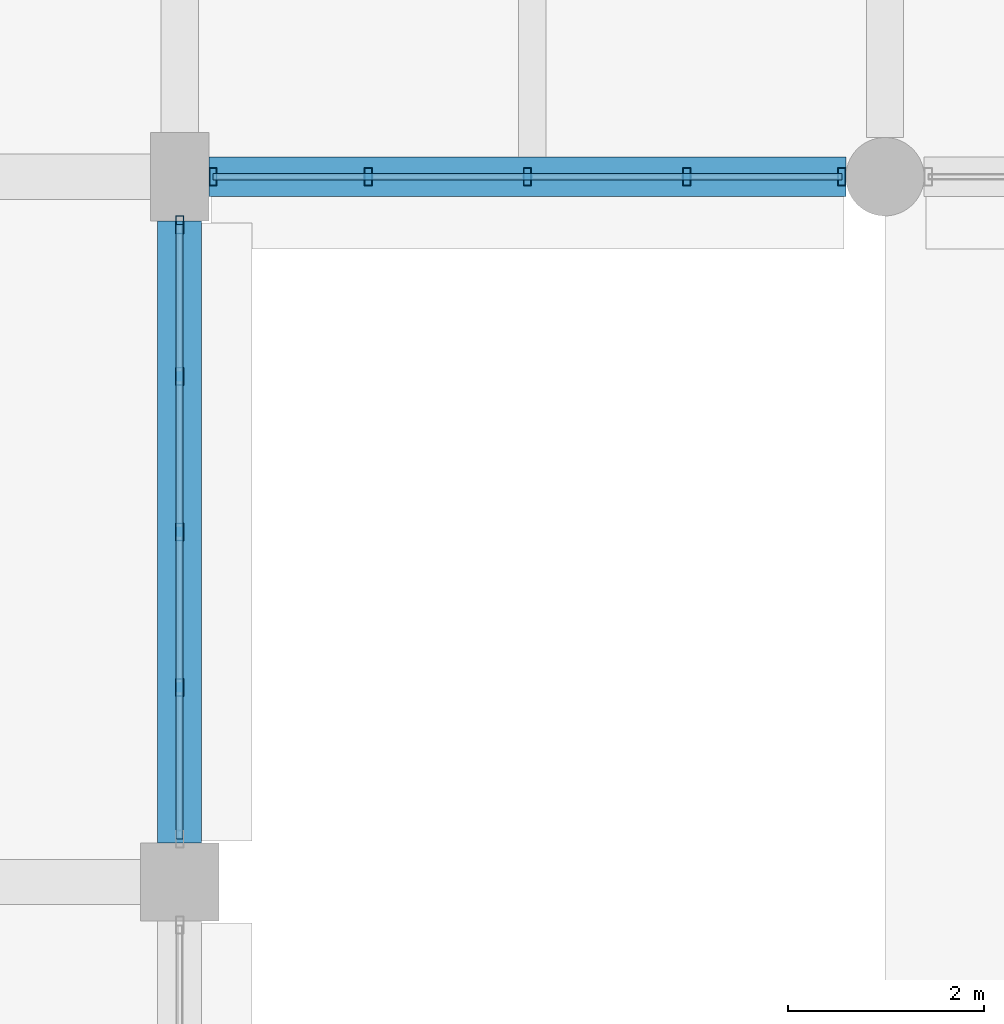
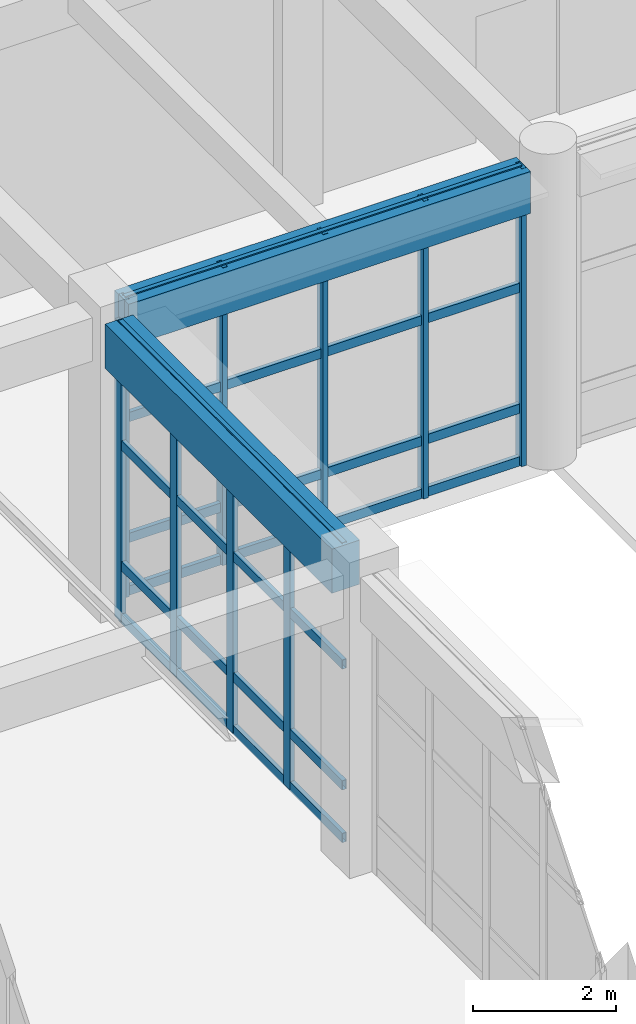
# One storey, part 24 of 160: 17 members, 2 beams, 2 elements without a shape of their own.
"""IFC4 building model written with IfcOpenShell, lengths in metres."""

from ifc_helpers import new_model, si_unit, direction, frame, origin, origin_2d, place, context, subcontext, project, spatial, rectangle, hollow_rectangle, extrude, material, material_profile, profile_set, type_object, element, aggregate, save


model = new_model("IFC4")

# Units and contexts
model_context = context("Model", 3, precision=1e-05, world=origin(), true_north=direction((0.0, 1.0)))
body_context = subcontext(model_context, "Body", "Model", "MODEL_VIEW")
ifc_project = project(units=[si_unit("LENGTHUNIT", "METRE"), si_unit("AREAUNIT", "SQUARE_METRE"), si_unit("VOLUMEUNIT", "CUBIC_METRE"), si_unit("PLANEANGLEUNIT", "RADIAN"), si_unit("MASSUNIT", "GRAM", prefix="KILO")], contexts=[model_context])

# Site, building, storey
site_placement = place(None, origin())
site = spatial("IfcSite", under=ifc_project, at=site_placement, CompositionType="ELEMENT")
building_placement = place(site_placement, origin())
building = spatial("IfcBuilding", under=site, at=building_placement, Name="Thalmaran Polytechnic", CompositionType="ELEMENT")
storey_placement = place(building_placement, origin())
storey = spatial("IfcBuildingStorey", under=building, at=storey_placement, Name="L00", CompositionType="ELEMENT", Elevation=0.0)

# Beams
ifc_material_1 = material(Name="Concrete C40/50", Category="concrete")
ifc_material_profile_1 = material_profile(ifc_material_1, rectangle(XDim=0.39990234375, YDim=0.719970703125, at=origin_2d()), Name="RC 400x720")
ifc_profile_set_1 = profile_set([ifc_material_profile_1], Name="Concrete C40/50")
beam_type_1 = type_object("IfcBeamType", Name="BM-SP01", PredefinedType="SPANDREL", material=ifc_profile_set_1)
beam_1_placement = place(storey_placement, frame((21.89990234375, 50.39990234375, 4.72998046875), z_axis=(1.0, 0.0, 0.0), x_axis=(0.0, 1.0, 0.0)))
element("IfcBeam", 1, at=beam_1_placement, inside=storey, type_object=beam_type_1, Name="Grid Beam SP01 L00 X(3,7)", PredefinedType="SPANDREL", context=body_context, shape_type="SweptSolid", body=[
    extrude(rectangle(XDim=0.39990234375, YDim=0.719970703125, at=origin_2d()), origin(), (0.0, 0.0, 1.0), 6.5),
])
ifc_material_profile_2 = material_profile(ifc_material_1, rectangle(XDim=0.449951171875, YDim=0.7548828125, at=origin_2d()), Name="RC 450x755")
ifc_profile_set_2 = profile_set([ifc_material_profile_2], Name="Concrete C40/50")
beam_type_2 = type_object("IfcBeamType", Name="BM-SP02", PredefinedType="SPANDREL", material=ifc_profile_set_2)
beam_2_placement = place(storey_placement, frame((21.60009765625, 43.60009765625, 4.71240234375), z_axis=(0.0, 1.0, 0.0), x_axis=(-1.0, 0.0, 0.0)))
element("IfcBeam", 2, at=beam_2_placement, inside=storey, type_object=beam_type_2, Name="Grid Beam SP02 L00 Y(3,6)", PredefinedType="SPANDREL", context=body_context, shape_type="SweptSolid", body=[
    extrude(rectangle(XDim=0.449951171875, YDim=0.7548828125, at=origin_2d()), origin(), (0.0, 0.0, 1.0), 6.349853515625),
])

# Curtain wall, members
ifc_material_2 = material(Name="Aluminium 6063-T6", Category="aluminium")
curtain_wall_type = type_object("IfcCurtainWallType", Name="CW-UC01", PredefinedType="USERDEFINED", material=ifc_material_2)
curtain_wall_1_placement = place(storey_placement, origin())
curtain_wall_1 = element("IfcCurtainWall", 3, at=curtain_wall_1_placement, inside=storey, type_object=curtain_wall_type, Name="Curtain Wall CW-L00-044", ObjectType="UNITISED CURTAIN WALL", PredefinedType="USERDEFINED")
ifc_material_profile_3 = material_profile(ifc_material_2, hollow_rectangle(XDim=0.080078125, YDim=0.179931640625, WallThickness=0.0048828125, at=origin_2d()), Name="RHS 180x80x5.0")
ifc_profile_set_3 = profile_set([ifc_material_profile_3], Name="Aluminium 6063-T6")
member_type_1 = type_object("IfcMemberType", Name="CW-MUL1", PredefinedType="MULLION", material=ifc_profile_set_3)
member_1_placement = place(storey_placement, frame((28.360107421875, 50.39990234375, 0.0), z_axis=(0.0, 0.0, 1.0), x_axis=(1.0, 0.0, 0.0)))
member_1 = element("IfcMember", 4, at=member_1_placement, type_object=member_type_1, Name="CW-L00-044 Mullion 1", PredefinedType="MULLION", context=body_context, shape_type="SweptSolid", body=[
    extrude(hollow_rectangle(XDim=0.080078125, YDim=0.179931640625, WallThickness=0.0048828125, at=origin_2d()), origin(), (0.0, 0.0, 1.0), 5.090087890625),
])
member_2_placement = place(storey_placement, frame((26.77490234375, 50.39990234375, 0.0), z_axis=(0.0, 0.0, 1.0), x_axis=(1.0, 0.0, 0.0)))
member_2 = element("IfcMember", 5, at=member_2_placement, type_object=member_type_1, Name="CW-L00-044 Mullion 2", PredefinedType="MULLION", context=body_context, shape_type="SweptSolid", body=[
    extrude(hollow_rectangle(XDim=0.080078125, YDim=0.179931640625, WallThickness=0.0048828125, at=origin_2d()), origin(), (0.0, 0.0, 1.0), 5.090087890625),
])
member_3_placement = place(storey_placement, frame((25.14990234375, 50.39990234375, 0.0), z_axis=(0.0, 0.0, 1.0), x_axis=(1.0, 0.0, 0.0)))
member_3 = element("IfcMember", 6, at=member_3_placement, type_object=member_type_1, Name="CW-L00-044 Mullion 3", PredefinedType="MULLION", context=body_context, shape_type="SweptSolid", body=[
    extrude(hollow_rectangle(XDim=0.080078125, YDim=0.179931640625, WallThickness=0.0048828125, at=origin_2d()), origin(), (0.0, 0.0, 1.0), 5.090087890625),
])
member_4_placement = place(storey_placement, frame((23.52490234375, 50.39990234375, 0.0), z_axis=(0.0, 0.0, 1.0), x_axis=(1.0, 0.0, 0.0)))
member_4 = element("IfcMember", 7, at=member_4_placement, type_object=member_type_1, Name="CW-L00-044 Mullion 4", PredefinedType="MULLION", context=body_context, shape_type="SweptSolid", body=[
    extrude(hollow_rectangle(XDim=0.080078125, YDim=0.179931640625, WallThickness=0.0048828125, at=origin_2d()), origin(), (0.0, 0.0, 1.0), 5.090087890625),
])
member_5_placement = place(storey_placement, frame((21.93994140625, 50.39990234375, 0.0), z_axis=(0.0, 0.0, 1.0), x_axis=(1.0, 0.0, 0.0)))
member_5 = element("IfcMember", 8, at=member_5_placement, type_object=member_type_1, Name="CW-L00-044 Mullion 5", PredefinedType="MULLION", context=body_context, shape_type="SweptSolid", body=[
    extrude(hollow_rectangle(XDim=0.080078125, YDim=0.179931640625, WallThickness=0.0048828125, at=origin_2d()), origin(), (0.0, 0.0, 1.0), 5.090087890625),
])

curtain_wall_2_placement = place(storey_placement, origin())
curtain_wall_2 = element("IfcCurtainWall", 9, at=curtain_wall_2_placement, inside=storey, type_object=curtain_wall_type, Name="Curtain Wall CW-L00-045", ObjectType="UNITISED CURTAIN WALL", PredefinedType="USERDEFINED")
member_6_placement = place(storey_placement, frame((21.60009765625, 49.909912109375, 0.0), z_axis=(0.0, 0.0, 1.0), x_axis=(1.0, 0.0, 0.0)))
member_6 = element("IfcMember", 10, at=member_6_placement, type_object=member_type_1, Name="CW-L00-045 Mullion 1", PredefinedType="MULLION", context=body_context, shape_type="SweptSolid", body=[
    extrude(hollow_rectangle(XDim=0.080078125, YDim=0.179931640625, WallThickness=0.0048828125, at=origin_2d()), origin(), (0.0, 0.0, 1.0), 5.090087890625),
])
member_7_placement = place(storey_placement, frame((21.60009765625, 48.362548828125, 0.0), z_axis=(0.0, 0.0, 1.0), x_axis=(1.0, 0.0, 0.0)))
member_7 = element("IfcMember", 11, at=member_7_placement, type_object=member_type_1, Name="CW-L00-045 Mullion 2", PredefinedType="MULLION", context=body_context, shape_type="SweptSolid", body=[
    extrude(hollow_rectangle(XDim=0.080078125, YDim=0.179931640625, WallThickness=0.0048828125, at=origin_2d()), origin(), (0.0, 0.0, 1.0), 5.090087890625),
])
member_8_placement = place(storey_placement, frame((21.60009765625, 46.77490234375, 0.0), z_axis=(0.0, 0.0, 1.0), x_axis=(1.0, 0.0, 0.0)))
member_8 = element("IfcMember", 12, at=member_8_placement, type_object=member_type_1, Name="CW-L00-045 Mullion 3", PredefinedType="MULLION", context=body_context, shape_type="SweptSolid", body=[
    extrude(hollow_rectangle(XDim=0.080078125, YDim=0.179931640625, WallThickness=0.0048828125, at=origin_2d()), origin(), (0.0, 0.0, 1.0), 5.090087890625),
])
member_9_placement = place(storey_placement, frame((21.60009765625, 45.1875, 0.0), z_axis=(0.0, 0.0, 1.0), x_axis=(1.0, 0.0, 0.0)))
member_9 = element("IfcMember", 13, at=member_9_placement, type_object=member_type_1, Name="CW-L00-045 Mullion 4", PredefinedType="MULLION", context=body_context, shape_type="SweptSolid", body=[
    extrude(hollow_rectangle(XDim=0.080078125, YDim=0.179931640625, WallThickness=0.0048828125, at=origin_2d()), origin(), (0.0, 0.0, 1.0), 5.090087890625),
])

# Member
ifc_material_profile_4 = material_profile(ifc_material_2, hollow_rectangle(XDim=0.070068359375, YDim=0.159912109375, WallThickness=0.00390625, at=origin_2d()), Name="AL 160x70x4.0")
ifc_profile_set_4 = profile_set([ifc_material_profile_4], Name="Aluminium 6063-T6")
member_type_2 = type_object("IfcMemberType", Name="CW-TRN1", PredefinedType="USERDEFINED", material=ifc_profile_set_4)
member_10_placement = place(storey_placement, frame((28.360107421875, 50.39990234375, 0.06005859375), z_axis=(-1.0, 0.0, 0.0), x_axis=(0.0, -1.0, 0.0)))
member_10 = element("IfcMember", 14, at=member_10_placement, type_object=member_type_2, Name="CW-L00-044 Transom 1", ObjectType="TRANSOM", PredefinedType="USERDEFINED", context=body_context, shape_type="SweptSolid", body=[
    extrude(hollow_rectangle(XDim=0.070068359375, YDim=0.159912109375, WallThickness=0.00390625, at=origin_2d()), origin(), (0.0, 0.0, 1.0), 6.420166015625),
])

member_11_placement = place(storey_placement, frame((28.360107421875, 50.39990234375, 0.9599609375), z_axis=(-1.0, 0.0, 0.0), x_axis=(0.0, -1.0, 0.0)))
member_11 = element("IfcMember", 15, at=member_11_placement, type_object=member_type_2, Name="CW-L00-044 Transom 2", ObjectType="TRANSOM", PredefinedType="USERDEFINED", context=body_context, shape_type="SweptSolid", body=[
    extrude(hollow_rectangle(XDim=0.070068359375, YDim=0.159912109375, WallThickness=0.00390625, at=origin_2d()), origin(), (0.0, 0.0, 1.0), 6.420166015625),
])

member_12_placement = place(storey_placement, frame((28.360107421875, 50.39990234375, 3.02490234375), z_axis=(-1.0, 0.0, 0.0), x_axis=(0.0, -1.0, 0.0)))
member_12 = element("IfcMember", 16, at=member_12_placement, type_object=member_type_2, Name="CW-L00-044 Transom 3", ObjectType="TRANSOM", PredefinedType="USERDEFINED", context=body_context, shape_type="SweptSolid", body=[
    extrude(hollow_rectangle(XDim=0.070068359375, YDim=0.159912109375, WallThickness=0.00390625, at=origin_2d()), origin(), (0.0, 0.0, 1.0), 6.420166015625),
])

member_13_placement = place(storey_placement, frame((28.360107421875, 50.39990234375, 5.030029296875), z_axis=(-1.0, 0.0, 0.0), x_axis=(0.0, -1.0, 0.0)))
member_13 = element("IfcMember", 17, at=member_13_placement, type_object=member_type_2, Name="CW-L00-044 Transom 4", ObjectType="TRANSOM", PredefinedType="USERDEFINED", context=body_context, shape_type="SweptSolid", body=[
    extrude(hollow_rectangle(XDim=0.070068359375, YDim=0.159912109375, WallThickness=0.00390625, at=origin_2d()), origin(), (0.0, 0.0, 1.0), 6.420166015625),
])

aggregate(curtain_wall_1, [member_1, member_2, member_3, member_4, member_5, member_10, member_11, member_12, member_13])

member_14_placement = place(storey_placement, frame((21.60009765625, 49.909912109375, 0.06005859375), z_axis=(0.0, -1.0, 0.0), x_axis=(1.0, 0.0, 0.0)))
member_14 = element("IfcMember", 18, at=member_14_placement, type_object=member_type_2, Name="CW-L00-045 Transom 1", ObjectType="TRANSOM", PredefinedType="USERDEFINED", context=body_context, shape_type="SweptSolid", body=[
    extrude(hollow_rectangle(XDim=0.070068359375, YDim=0.159912109375, WallThickness=0.00390625, at=origin_2d()), origin(), (0.0, 0.0, 1.0), 6.27001953125),
])

member_15_placement = place(storey_placement, frame((21.60009765625, 49.909912109375, 0.9599609375), z_axis=(0.0, -1.0, 0.0), x_axis=(1.0, 0.0, 0.0)))
member_15 = element("IfcMember", 19, at=member_15_placement, type_object=member_type_2, Name="CW-L00-045 Transom 2", ObjectType="TRANSOM", PredefinedType="USERDEFINED", context=body_context, shape_type="SweptSolid", body=[
    extrude(hollow_rectangle(XDim=0.070068359375, YDim=0.159912109375, WallThickness=0.00390625, at=origin_2d()), origin(), (0.0, 0.0, 1.0), 6.27001953125),
])

member_16_placement = place(storey_placement, frame((21.60009765625, 49.909912109375, 3.02490234375), z_axis=(0.0, -1.0, 0.0), x_axis=(1.0, 0.0, 0.0)))
member_16 = element("IfcMember", 20, at=member_16_placement, type_object=member_type_2, Name="CW-L00-045 Transom 3", ObjectType="TRANSOM", PredefinedType="USERDEFINED", context=body_context, shape_type="SweptSolid", body=[
    extrude(hollow_rectangle(XDim=0.070068359375, YDim=0.159912109375, WallThickness=0.00390625, at=origin_2d()), origin(), (0.0, 0.0, 1.0), 6.27001953125),
])

member_17_placement = place(storey_placement, frame((21.60009765625, 49.909912109375, 5.030029296875), z_axis=(0.0, -1.0, 0.0), x_axis=(1.0, 0.0, 0.0)))
member_17 = element("IfcMember", 21, at=member_17_placement, type_object=member_type_2, Name="CW-L00-045 Transom 4", ObjectType="TRANSOM", PredefinedType="USERDEFINED", context=body_context, shape_type="SweptSolid", body=[
    extrude(hollow_rectangle(XDim=0.070068359375, YDim=0.159912109375, WallThickness=0.00390625, at=origin_2d()), origin(), (0.0, 0.0, 1.0), 6.27001953125),
])

aggregate(curtain_wall_2, [member_6, member_7, member_8, member_9, member_14, member_15, member_16, member_17])

save(model, "model.ifc")
